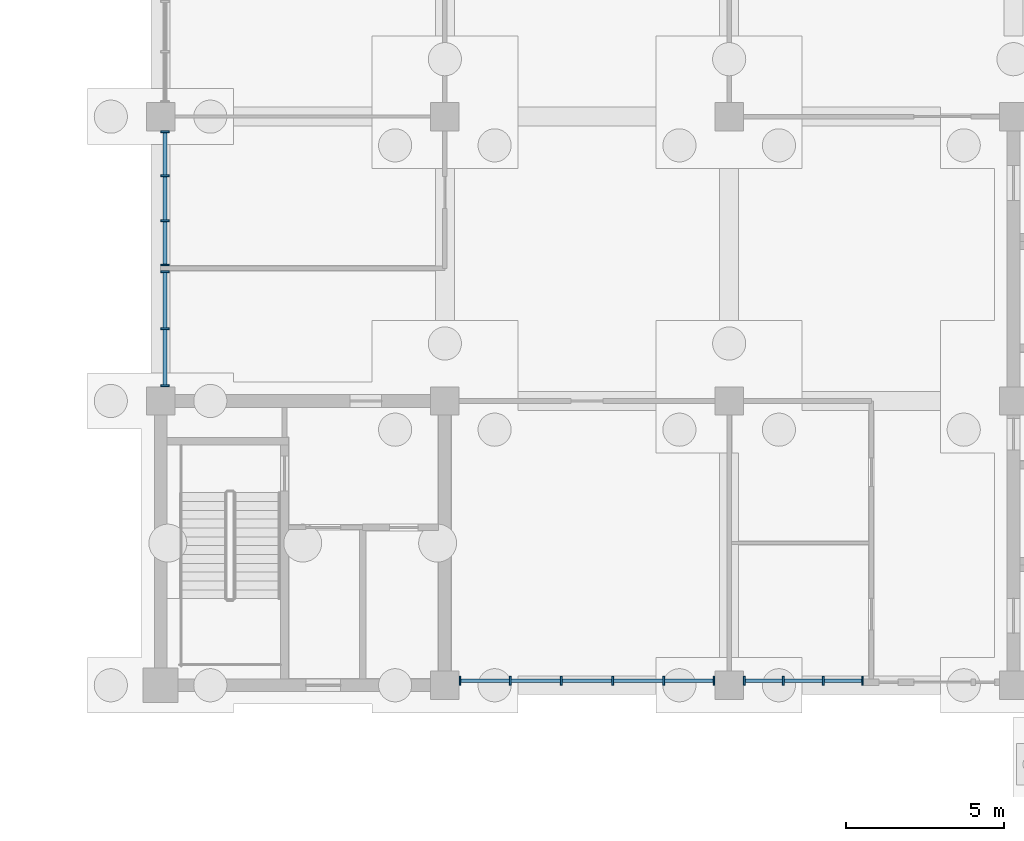
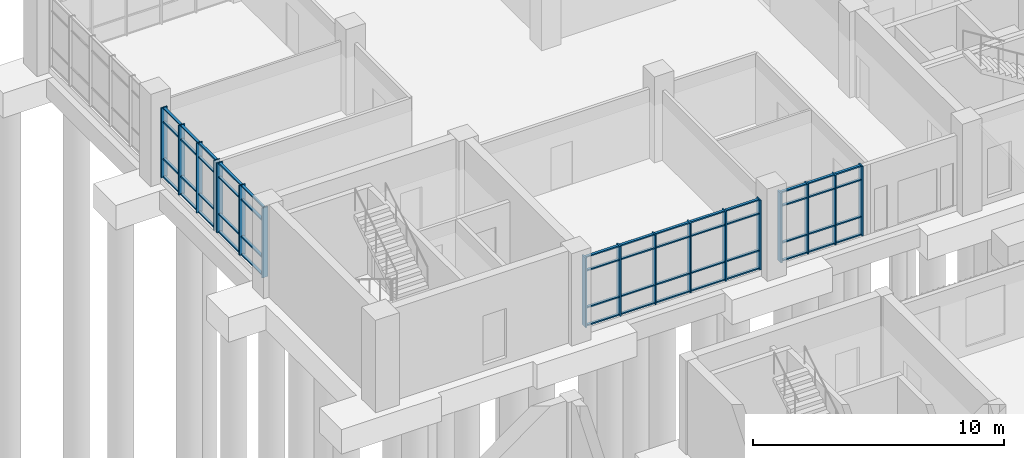
# One storey, part 46 of 106: 69 members, 4 elements without a shape of their own.
"""IFC4 building model written with IfcOpenShell, lengths in metres."""

from ifc_helpers import new_model, si_unit, direction, frame, origin, origin_2d, place, context, subcontext, project, spatial, rectangle, extrude, material, material_profile, profile_set, type_object, element, aggregate, save


model = new_model("IFC4")

# Units and contexts
model_context = context("Model", 3, precision=1e-05, world=origin(), true_north=direction((0.0, 1.0)))
body_context = subcontext(model_context, "Body", "Model", "MODEL_VIEW")
ifc_project = project(units=[si_unit("LENGTHUNIT", "METRE"), si_unit("AREAUNIT", "SQUARE_METRE"), si_unit("VOLUMEUNIT", "CUBIC_METRE"), si_unit("PLANEANGLEUNIT", "RADIAN"), si_unit("MASSUNIT", "GRAM", prefix="KILO")], contexts=[model_context])

# Site, building, storey
site_placement = place(None, origin())
site = spatial("IfcSite", under=ifc_project, at=site_placement, CompositionType="ELEMENT")
building_placement = place(site_placement, origin())
building = spatial("IfcBuilding", under=site, at=building_placement, Name="Merrow Basin Faculty of Sciences", CompositionType="ELEMENT")
storey_placement = place(building_placement, origin())
storey = spatial("IfcBuildingStorey", under=building, at=storey_placement, Name="L00", CompositionType="ELEMENT", Elevation=0.0)

# Curtain wall, members
ifc_material_1 = material(Name="Aluminium alloy 6063", Category="aluminium")
curtain_wall_type = type_object("IfcCurtainWallType", Name="Tower lobby curtain wall 280", PredefinedType="NOTDEFINED", material=ifc_material_1)
curtain_wall_1_placement = place(storey_placement, origin())
curtain_wall_1 = element("IfcCurtainWall", 1, at=curtain_wall_1_placement, inside=storey, type_object=curtain_wall_type, Name="W curtain wall L00 1", PredefinedType="NOTDEFINED")
ifc_material_2 = material(Name="Aluminium alloy 6063", Category="aluminium")
ifc_material_profile_1 = material_profile(ifc_material_2, rectangle(XDim=0.280029296875, YDim=0.06005859375, at=origin_2d()))
ifc_profile_set_1 = profile_set([ifc_material_profile_1], Name="Aluminium alloy 6063")
member_type_1 = type_object("IfcMemberType", Name="Aluminium mullion 60x280", PredefinedType="MULLION", material=ifc_profile_set_1)
member_1_placement = place(storey_placement, frame((18.139892578125, 151.47998046875, 0.0), z_axis=(0.0, 0.0, 1.0), x_axis=(-1.0, 0.0, 0.0)))
member_1 = element("IfcMember", 2, at=member_1_placement, type_object=member_type_1, Name="CW10 mullion 1", PredefinedType="MULLION", context=body_context, shape_type="SweptSolid", body=[
    extrude(rectangle(XDim=0.280029296875, YDim=0.06005859375, at=origin_2d()), origin(), (0.0, 0.0, 1.0), 3.39990234375),
])
member_2_placement = place(storey_placement, frame((18.139892578125, 153.28759765625, 0.0), z_axis=(0.0, 0.0, 1.0), x_axis=(-1.0, 0.0, 0.0)))
member_2 = element("IfcMember", 3, at=member_2_placement, type_object=member_type_1, Name="CW10 mullion 2", PredefinedType="MULLION", context=body_context, shape_type="SweptSolid", body=[
    extrude(rectangle(XDim=0.280029296875, YDim=0.06005859375, at=origin_2d()), origin(), (0.0, 0.0, 1.0), 3.39990234375),
])
member_3_placement = place(storey_placement, frame((18.139892578125, 155.094970703125, 0.0), z_axis=(0.0, 0.0, 1.0), x_axis=(-1.0, 0.0, 0.0)))
member_3 = element("IfcMember", 4, at=member_3_placement, type_object=member_type_1, Name="CW10 mullion 3", PredefinedType="MULLION", context=body_context, shape_type="SweptSolid", body=[
    extrude(rectangle(XDim=0.280029296875, YDim=0.06005859375, at=origin_2d()), origin(), (0.0, 0.0, 1.0), 3.39990234375),
])

curtain_wall_2_placement = place(storey_placement, origin())
curtain_wall_2 = element("IfcCurtainWall", 5, at=curtain_wall_2_placement, inside=storey, type_object=curtain_wall_type, Name="W curtain wall L00 2", PredefinedType="NOTDEFINED")
member_4_placement = place(storey_placement, frame((18.139892578125, 155.304931640625, 0.0), z_axis=(0.0, 0.0, 1.0), x_axis=(-1.0, 0.0, 0.0)))
member_4 = element("IfcMember", 6, at=member_4_placement, type_object=member_type_1, Name="CW10 mullion 1", PredefinedType="MULLION", context=body_context, shape_type="SweptSolid", body=[
    extrude(rectangle(XDim=0.280029296875, YDim=0.06005859375, at=origin_2d()), origin(), (0.0, 0.0, 1.0), 3.39990234375),
])
member_5_placement = place(storey_placement, frame((18.139892578125, 156.699951171875, 0.0), z_axis=(0.0, 0.0, 1.0), x_axis=(-1.0, 0.0, 0.0)))
member_5 = element("IfcMember", 7, at=member_5_placement, type_object=member_type_1, Name="CW10 mullion 2", PredefinedType="MULLION", context=body_context, shape_type="SweptSolid", body=[
    extrude(rectangle(XDim=0.280029296875, YDim=0.06005859375, at=origin_2d()), origin(), (0.0, 0.0, 1.0), 3.39990234375),
])
member_6_placement = place(storey_placement, frame((18.139892578125, 158.125, 0.0), z_axis=(0.0, 0.0, 1.0), x_axis=(-1.0, 0.0, 0.0)))
member_6 = element("IfcMember", 8, at=member_6_placement, type_object=member_type_1, Name="CW10 mullion 3", PredefinedType="MULLION", context=body_context, shape_type="SweptSolid", body=[
    extrude(rectangle(XDim=0.280029296875, YDim=0.06005859375, at=origin_2d()), origin(), (0.0, 0.0, 1.0), 3.39990234375),
])
member_7_placement = place(storey_placement, frame((18.139892578125, 159.52001953125, 0.0), z_axis=(0.0, 0.0, 1.0), x_axis=(-1.0, 0.0, 0.0)))
member_7 = element("IfcMember", 9, at=member_7_placement, type_object=member_type_1, Name="CW10 mullion 4", PredefinedType="MULLION", context=body_context, shape_type="SweptSolid", body=[
    extrude(rectangle(XDim=0.280029296875, YDim=0.06005859375, at=origin_2d()), origin(), (0.0, 0.0, 1.0), 3.39990234375),
])

curtain_wall_3_placement = place(storey_placement, origin())
curtain_wall_3 = element("IfcCurtainWall", 10, at=curtain_wall_3_placement, inside=storey, type_object=curtain_wall_type, Name="S curtain wall L00 1", PredefinedType="NOTDEFINED")
member_8_placement = place(storey_placement, frame((27.47998046875, 142.139892578125, 0.0), z_axis=(0.0, 0.0, 1.0), x_axis=(0.0, 1.0, 0.0)))
member_8 = element("IfcMember", 11, at=member_8_placement, type_object=member_type_1, Name="CW10 mullion 1", PredefinedType="MULLION", context=body_context, shape_type="SweptSolid", body=[
    extrude(rectangle(XDim=0.280029296875, YDim=0.06005859375, at=origin_2d()), origin(), (0.0, 0.0, 1.0), 3.39990234375),
])
member_9_placement = place(storey_placement, frame((29.070068359375, 142.139892578125, 0.0), z_axis=(0.0, 0.0, 1.0), x_axis=(0.0, 1.0, 0.0)))
member_9 = element("IfcMember", 12, at=member_9_placement, type_object=member_type_1, Name="CW10 mullion 2", PredefinedType="MULLION", context=body_context, shape_type="SweptSolid", body=[
    extrude(rectangle(XDim=0.280029296875, YDim=0.06005859375, at=origin_2d()), origin(), (0.0, 0.0, 1.0), 3.39990234375),
])
member_10_placement = place(storey_placement, frame((30.68994140625, 142.139892578125, 0.0), z_axis=(0.0, 0.0, 1.0), x_axis=(0.0, 1.0, 0.0)))
member_10 = element("IfcMember", 13, at=member_10_placement, type_object=member_type_1, Name="CW10 mullion 3", PredefinedType="MULLION", context=body_context, shape_type="SweptSolid", body=[
    extrude(rectangle(XDim=0.280029296875, YDim=0.06005859375, at=origin_2d()), origin(), (0.0, 0.0, 1.0), 3.39990234375),
])
member_11_placement = place(storey_placement, frame((32.31005859375, 142.139892578125, 0.0), z_axis=(0.0, 0.0, 1.0), x_axis=(0.0, 1.0, 0.0)))
member_11 = element("IfcMember", 14, at=member_11_placement, type_object=member_type_1, Name="CW10 mullion 4", PredefinedType="MULLION", context=body_context, shape_type="SweptSolid", body=[
    extrude(rectangle(XDim=0.280029296875, YDim=0.06005859375, at=origin_2d()), origin(), (0.0, 0.0, 1.0), 3.39990234375),
])
member_12_placement = place(storey_placement, frame((33.929931640625, 142.139892578125, 0.0), z_axis=(0.0, 0.0, 1.0), x_axis=(0.0, 1.0, 0.0)))
member_12 = element("IfcMember", 15, at=member_12_placement, type_object=member_type_1, Name="CW10 mullion 5", PredefinedType="MULLION", context=body_context, shape_type="SweptSolid", body=[
    extrude(rectangle(XDim=0.280029296875, YDim=0.06005859375, at=origin_2d()), origin(), (0.0, 0.0, 1.0), 3.39990234375),
])
member_13_placement = place(storey_placement, frame((35.52001953125, 142.139892578125, 0.0), z_axis=(0.0, 0.0, 1.0), x_axis=(0.0, 1.0, 0.0)))
member_13 = element("IfcMember", 16, at=member_13_placement, type_object=member_type_1, Name="CW10 mullion 6", PredefinedType="MULLION", context=body_context, shape_type="SweptSolid", body=[
    extrude(rectangle(XDim=0.280029296875, YDim=0.06005859375, at=origin_2d()), origin(), (0.0, 0.0, 1.0), 3.39990234375),
])

curtain_wall_4_placement = place(storey_placement, origin())
curtain_wall_4 = element("IfcCurtainWall", 17, at=curtain_wall_4_placement, inside=storey, type_object=curtain_wall_type, Name="S curtain wall L00 2", PredefinedType="NOTDEFINED")
member_14_placement = place(storey_placement, frame((36.47998046875, 142.139892578125, 0.0), z_axis=(0.0, 0.0, 1.0), x_axis=(0.0, 1.0, 0.0)))
member_14 = element("IfcMember", 18, at=member_14_placement, type_object=member_type_1, Name="CW10 mullion 1", PredefinedType="MULLION", context=body_context, shape_type="SweptSolid", body=[
    extrude(rectangle(XDim=0.280029296875, YDim=0.06005859375, at=origin_2d()), origin(), (0.0, 0.0, 1.0), 3.39990234375),
])
member_15_placement = place(storey_placement, frame((37.716552734375, 142.139892578125, 0.0), z_axis=(0.0, 0.0, 1.0), x_axis=(0.0, 1.0, 0.0)))
member_15 = element("IfcMember", 19, at=member_15_placement, type_object=member_type_1, Name="CW10 mullion 2", PredefinedType="MULLION", context=body_context, shape_type="SweptSolid", body=[
    extrude(rectangle(XDim=0.280029296875, YDim=0.06005859375, at=origin_2d()), origin(), (0.0, 0.0, 1.0), 3.39990234375),
])
member_16_placement = place(storey_placement, frame((38.9833984375, 142.139892578125, 0.0), z_axis=(0.0, 0.0, 1.0), x_axis=(0.0, 1.0, 0.0)))
member_16 = element("IfcMember", 20, at=member_16_placement, type_object=member_type_1, Name="CW10 mullion 3", PredefinedType="MULLION", context=body_context, shape_type="SweptSolid", body=[
    extrude(rectangle(XDim=0.280029296875, YDim=0.06005859375, at=origin_2d()), origin(), (0.0, 0.0, 1.0), 3.39990234375),
])
member_17_placement = place(storey_placement, frame((40.219970703125, 142.139892578125, 0.0), z_axis=(0.0, 0.0, 1.0), x_axis=(0.0, 1.0, 0.0)))
member_17 = element("IfcMember", 21, at=member_17_placement, type_object=member_type_1, Name="CW10 mullion 4", PredefinedType="MULLION", context=body_context, shape_type="SweptSolid", body=[
    extrude(rectangle(XDim=0.280029296875, YDim=0.06005859375, at=origin_2d()), origin(), (0.0, 0.0, 1.0), 3.39990234375),
])

# Member
ifc_material_3 = material(Name="Aluminium alloy 6063", Category="aluminium")
ifc_material_profile_2 = material_profile(ifc_material_3, rectangle(XDim=0.1201171875, YDim=0.06005859375, at=origin_2d()))
ifc_profile_set_2 = profile_set([ifc_material_profile_2], Name="Aluminium alloy 6063")
member_type_2 = type_object("IfcMemberType", Name="Aluminium transom 60x120", PredefinedType="USERDEFINED", material=ifc_profile_set_2)
member_18_placement = place(storey_placement, frame((18.139892578125, 151.510009765625, 0.030029296875), z_axis=(0.0, 1.0, 0.0), x_axis=(-1.0, 0.0, 0.0)))
member_18 = element("IfcMember", 22, at=member_18_placement, type_object=member_type_2, Name="CW10 transom 1.1", ObjectType="TRANSOM", PredefinedType="USERDEFINED", context=body_context, shape_type="SweptSolid", body=[
    extrude(rectangle(XDim=0.1201171875, YDim=0.06005859375, at=origin_2d()), origin(), (0.0, 0.0, 1.0), 1.74755859375),
])

member_19_placement = place(storey_placement, frame((18.139892578125, 151.510009765625, 0.89990234375), z_axis=(0.0, 1.0, 0.0), x_axis=(-1.0, 0.0, 0.0)))
member_19 = element("IfcMember", 23, at=member_19_placement, type_object=member_type_2, Name="CW10 transom 1.2", ObjectType="TRANSOM", PredefinedType="USERDEFINED", context=body_context, shape_type="SweptSolid", body=[
    extrude(rectangle(XDim=0.1201171875, YDim=0.06005859375, at=origin_2d()), origin(), (0.0, 0.0, 1.0), 1.74755859375),
])

member_20_placement = place(storey_placement, frame((18.139892578125, 151.510009765625, 2.699951171875), z_axis=(0.0, 1.0, 0.0), x_axis=(-1.0, 0.0, 0.0)))
member_20 = element("IfcMember", 24, at=member_20_placement, type_object=member_type_2, Name="CW10 transom 1.3", ObjectType="TRANSOM", PredefinedType="USERDEFINED", context=body_context, shape_type="SweptSolid", body=[
    extrude(rectangle(XDim=0.1201171875, YDim=0.06005859375, at=origin_2d()), origin(), (0.0, 0.0, 1.0), 1.74755859375),
])

member_21_placement = place(storey_placement, frame((18.139892578125, 151.510009765625, 3.3701171875), z_axis=(0.0, 1.0, 0.0), x_axis=(-1.0, 0.0, 0.0)))
member_21 = element("IfcMember", 25, at=member_21_placement, type_object=member_type_2, Name="CW10 transom 1.4", ObjectType="TRANSOM", PredefinedType="USERDEFINED", context=body_context, shape_type="SweptSolid", body=[
    extrude(rectangle(XDim=0.1201171875, YDim=0.06005859375, at=origin_2d()), origin(), (0.0, 0.0, 1.0), 1.74755859375),
])

member_22_placement = place(storey_placement, frame((18.139892578125, 153.3173828125, 0.030029296875), z_axis=(0.0, 1.0, 0.0), x_axis=(-1.0, 0.0, 0.0)))
member_22 = element("IfcMember", 26, at=member_22_placement, type_object=member_type_2, Name="CW10 transom 2.1", ObjectType="TRANSOM", PredefinedType="USERDEFINED", context=body_context, shape_type="SweptSolid", body=[
    extrude(rectangle(XDim=0.1201171875, YDim=0.06005859375, at=origin_2d()), origin(), (0.0, 0.0, 1.0), 1.74755859375),
])

member_23_placement = place(storey_placement, frame((18.139892578125, 153.3173828125, 0.89990234375), z_axis=(0.0, 1.0, 0.0), x_axis=(-1.0, 0.0, 0.0)))
member_23 = element("IfcMember", 27, at=member_23_placement, type_object=member_type_2, Name="CW10 transom 2.2", ObjectType="TRANSOM", PredefinedType="USERDEFINED", context=body_context, shape_type="SweptSolid", body=[
    extrude(rectangle(XDim=0.1201171875, YDim=0.06005859375, at=origin_2d()), origin(), (0.0, 0.0, 1.0), 1.74755859375),
])

member_24_placement = place(storey_placement, frame((18.139892578125, 153.3173828125, 2.699951171875), z_axis=(0.0, 1.0, 0.0), x_axis=(-1.0, 0.0, 0.0)))
member_24 = element("IfcMember", 28, at=member_24_placement, type_object=member_type_2, Name="CW10 transom 2.3", ObjectType="TRANSOM", PredefinedType="USERDEFINED", context=body_context, shape_type="SweptSolid", body=[
    extrude(rectangle(XDim=0.1201171875, YDim=0.06005859375, at=origin_2d()), origin(), (0.0, 0.0, 1.0), 1.74755859375),
])

member_25_placement = place(storey_placement, frame((18.139892578125, 153.3173828125, 3.3701171875), z_axis=(0.0, 1.0, 0.0), x_axis=(-1.0, 0.0, 0.0)))
member_25 = element("IfcMember", 29, at=member_25_placement, type_object=member_type_2, Name="CW10 transom 2.4", ObjectType="TRANSOM", PredefinedType="USERDEFINED", context=body_context, shape_type="SweptSolid", body=[
    extrude(rectangle(XDim=0.1201171875, YDim=0.06005859375, at=origin_2d()), origin(), (0.0, 0.0, 1.0), 1.74755859375),
])

aggregate(curtain_wall_1, [member_1, member_2, member_3, member_18, member_19, member_20, member_21, member_22, member_23, member_24, member_25])

member_26_placement = place(storey_placement, frame((18.139892578125, 155.3349609375, 0.030029296875), z_axis=(0.0, 1.0, 0.0), x_axis=(-1.0, 0.0, 0.0)))
member_26 = element("IfcMember", 30, at=member_26_placement, type_object=member_type_2, Name="CW10 transom 1.1", ObjectType="TRANSOM", PredefinedType="USERDEFINED", context=body_context, shape_type="SweptSolid", body=[
    extrude(rectangle(XDim=0.1201171875, YDim=0.06005859375, at=origin_2d()), origin(), (0.0, 0.0, 1.0), 1.3349609375),
])

member_27_placement = place(storey_placement, frame((18.139892578125, 155.3349609375, 0.89990234375), z_axis=(0.0, 1.0, 0.0), x_axis=(-1.0, 0.0, 0.0)))
member_27 = element("IfcMember", 31, at=member_27_placement, type_object=member_type_2, Name="CW10 transom 1.2", ObjectType="TRANSOM", PredefinedType="USERDEFINED", context=body_context, shape_type="SweptSolid", body=[
    extrude(rectangle(XDim=0.1201171875, YDim=0.06005859375, at=origin_2d()), origin(), (0.0, 0.0, 1.0), 1.3349609375),
])

member_28_placement = place(storey_placement, frame((18.139892578125, 155.3349609375, 2.699951171875), z_axis=(0.0, 1.0, 0.0), x_axis=(-1.0, 0.0, 0.0)))
member_28 = element("IfcMember", 32, at=member_28_placement, type_object=member_type_2, Name="CW10 transom 1.3", ObjectType="TRANSOM", PredefinedType="USERDEFINED", context=body_context, shape_type="SweptSolid", body=[
    extrude(rectangle(XDim=0.1201171875, YDim=0.06005859375, at=origin_2d()), origin(), (0.0, 0.0, 1.0), 1.3349609375),
])

member_29_placement = place(storey_placement, frame((18.139892578125, 155.3349609375, 3.3701171875), z_axis=(0.0, 1.0, 0.0), x_axis=(-1.0, 0.0, 0.0)))
member_29 = element("IfcMember", 33, at=member_29_placement, type_object=member_type_2, Name="CW10 transom 1.4", ObjectType="TRANSOM", PredefinedType="USERDEFINED", context=body_context, shape_type="SweptSolid", body=[
    extrude(rectangle(XDim=0.1201171875, YDim=0.06005859375, at=origin_2d()), origin(), (0.0, 0.0, 1.0), 1.3349609375),
])

member_30_placement = place(storey_placement, frame((18.139892578125, 156.72998046875, 0.030029296875), z_axis=(0.0, 1.0, 0.0), x_axis=(-1.0, 0.0, 0.0)))
member_30 = element("IfcMember", 34, at=member_30_placement, type_object=member_type_2, Name="CW10 transom 2.1", ObjectType="TRANSOM", PredefinedType="USERDEFINED", context=body_context, shape_type="SweptSolid", body=[
    extrude(rectangle(XDim=0.1201171875, YDim=0.06005859375, at=origin_2d()), origin(), (0.0, 0.0, 1.0), 1.364990234375),
])

member_31_placement = place(storey_placement, frame((18.139892578125, 156.72998046875, 0.89990234375), z_axis=(0.0, 1.0, 0.0), x_axis=(-1.0, 0.0, 0.0)))
member_31 = element("IfcMember", 35, at=member_31_placement, type_object=member_type_2, Name="CW10 transom 2.2", ObjectType="TRANSOM", PredefinedType="USERDEFINED", context=body_context, shape_type="SweptSolid", body=[
    extrude(rectangle(XDim=0.1201171875, YDim=0.06005859375, at=origin_2d()), origin(), (0.0, 0.0, 1.0), 1.364990234375),
])

member_32_placement = place(storey_placement, frame((18.139892578125, 156.72998046875, 2.699951171875), z_axis=(0.0, 1.0, 0.0), x_axis=(-1.0, 0.0, 0.0)))
member_32 = element("IfcMember", 36, at=member_32_placement, type_object=member_type_2, Name="CW10 transom 2.3", ObjectType="TRANSOM", PredefinedType="USERDEFINED", context=body_context, shape_type="SweptSolid", body=[
    extrude(rectangle(XDim=0.1201171875, YDim=0.06005859375, at=origin_2d()), origin(), (0.0, 0.0, 1.0), 1.364990234375),
])

member_33_placement = place(storey_placement, frame((18.139892578125, 156.72998046875, 3.3701171875), z_axis=(0.0, 1.0, 0.0), x_axis=(-1.0, 0.0, 0.0)))
member_33 = element("IfcMember", 37, at=member_33_placement, type_object=member_type_2, Name="CW10 transom 2.4", ObjectType="TRANSOM", PredefinedType="USERDEFINED", context=body_context, shape_type="SweptSolid", body=[
    extrude(rectangle(XDim=0.1201171875, YDim=0.06005859375, at=origin_2d()), origin(), (0.0, 0.0, 1.0), 1.364990234375),
])

member_34_placement = place(storey_placement, frame((18.139892578125, 158.155029296875, 0.030029296875), z_axis=(0.0, 1.0, 0.0), x_axis=(-1.0, 0.0, 0.0)))
member_34 = element("IfcMember", 38, at=member_34_placement, type_object=member_type_2, Name="CW10 transom 3.1", ObjectType="TRANSOM", PredefinedType="USERDEFINED", context=body_context, shape_type="SweptSolid", body=[
    extrude(rectangle(XDim=0.1201171875, YDim=0.06005859375, at=origin_2d()), origin(), (0.0, 0.0, 1.0), 1.3349609375),
])

member_35_placement = place(storey_placement, frame((18.139892578125, 158.155029296875, 0.89990234375), z_axis=(0.0, 1.0, 0.0), x_axis=(-1.0, 0.0, 0.0)))
member_35 = element("IfcMember", 39, at=member_35_placement, type_object=member_type_2, Name="CW10 transom 3.2", ObjectType="TRANSOM", PredefinedType="USERDEFINED", context=body_context, shape_type="SweptSolid", body=[
    extrude(rectangle(XDim=0.1201171875, YDim=0.06005859375, at=origin_2d()), origin(), (0.0, 0.0, 1.0), 1.3349609375),
])

member_36_placement = place(storey_placement, frame((18.139892578125, 158.155029296875, 2.699951171875), z_axis=(0.0, 1.0, 0.0), x_axis=(-1.0, 0.0, 0.0)))
member_36 = element("IfcMember", 40, at=member_36_placement, type_object=member_type_2, Name="CW10 transom 3.3", ObjectType="TRANSOM", PredefinedType="USERDEFINED", context=body_context, shape_type="SweptSolid", body=[
    extrude(rectangle(XDim=0.1201171875, YDim=0.06005859375, at=origin_2d()), origin(), (0.0, 0.0, 1.0), 1.3349609375),
])

member_37_placement = place(storey_placement, frame((18.139892578125, 158.155029296875, 3.3701171875), z_axis=(0.0, 1.0, 0.0), x_axis=(-1.0, 0.0, 0.0)))
member_37 = element("IfcMember", 41, at=member_37_placement, type_object=member_type_2, Name="CW10 transom 3.4", ObjectType="TRANSOM", PredefinedType="USERDEFINED", context=body_context, shape_type="SweptSolid", body=[
    extrude(rectangle(XDim=0.1201171875, YDim=0.06005859375, at=origin_2d()), origin(), (0.0, 0.0, 1.0), 1.3349609375),
])

aggregate(curtain_wall_2, [member_4, member_5, member_6, member_7, member_26, member_27, member_28, member_29, member_30, member_31, member_32, member_33, member_34, member_35, member_36, member_37])

member_38_placement = place(storey_placement, frame((27.510009765625, 142.139892578125, 0.030029296875), z_axis=(1.0, 0.0, 0.0), x_axis=(0.0, 1.0, 0.0)))
member_38 = element("IfcMember", 42, at=member_38_placement, type_object=member_type_2, Name="CW10 transom 1.1", ObjectType="TRANSOM", PredefinedType="USERDEFINED", context=body_context, shape_type="SweptSolid", body=[
    extrude(rectangle(XDim=0.1201171875, YDim=0.06005859375, at=origin_2d()), origin(), (0.0, 0.0, 1.0), 1.530029296875),
])

member_39_placement = place(storey_placement, frame((27.510009765625, 142.139892578125, 0.89990234375), z_axis=(1.0, 0.0, 0.0), x_axis=(0.0, 1.0, 0.0)))
member_39 = element("IfcMember", 43, at=member_39_placement, type_object=member_type_2, Name="CW10 transom 1.2", ObjectType="TRANSOM", PredefinedType="USERDEFINED", context=body_context, shape_type="SweptSolid", body=[
    extrude(rectangle(XDim=0.1201171875, YDim=0.06005859375, at=origin_2d()), origin(), (0.0, 0.0, 1.0), 1.530029296875),
])

member_40_placement = place(storey_placement, frame((27.510009765625, 142.139892578125, 2.699951171875), z_axis=(1.0, 0.0, 0.0), x_axis=(0.0, 1.0, 0.0)))
member_40 = element("IfcMember", 44, at=member_40_placement, type_object=member_type_2, Name="CW10 transom 1.3", ObjectType="TRANSOM", PredefinedType="USERDEFINED", context=body_context, shape_type="SweptSolid", body=[
    extrude(rectangle(XDim=0.1201171875, YDim=0.06005859375, at=origin_2d()), origin(), (0.0, 0.0, 1.0), 1.530029296875),
])

member_41_placement = place(storey_placement, frame((27.510009765625, 142.139892578125, 3.3701171875), z_axis=(1.0, 0.0, 0.0), x_axis=(0.0, 1.0, 0.0)))
member_41 = element("IfcMember", 45, at=member_41_placement, type_object=member_type_2, Name="CW10 transom 1.4", ObjectType="TRANSOM", PredefinedType="USERDEFINED", context=body_context, shape_type="SweptSolid", body=[
    extrude(rectangle(XDim=0.1201171875, YDim=0.06005859375, at=origin_2d()), origin(), (0.0, 0.0, 1.0), 1.530029296875),
])

member_42_placement = place(storey_placement, frame((29.10009765625, 142.139892578125, 0.030029296875), z_axis=(1.0, 0.0, 0.0), x_axis=(0.0, 1.0, 0.0)))
member_42 = element("IfcMember", 46, at=member_42_placement, type_object=member_type_2, Name="CW10 transom 2.1", ObjectType="TRANSOM", PredefinedType="USERDEFINED", context=body_context, shape_type="SweptSolid", body=[
    extrude(rectangle(XDim=0.1201171875, YDim=0.06005859375, at=origin_2d()), origin(), (0.0, 0.0, 1.0), 1.559814453125),
])

member_43_placement = place(storey_placement, frame((29.10009765625, 142.139892578125, 0.89990234375), z_axis=(1.0, 0.0, 0.0), x_axis=(0.0, 1.0, 0.0)))
member_43 = element("IfcMember", 47, at=member_43_placement, type_object=member_type_2, Name="CW10 transom 2.2", ObjectType="TRANSOM", PredefinedType="USERDEFINED", context=body_context, shape_type="SweptSolid", body=[
    extrude(rectangle(XDim=0.1201171875, YDim=0.06005859375, at=origin_2d()), origin(), (0.0, 0.0, 1.0), 1.559814453125),
])

member_44_placement = place(storey_placement, frame((29.10009765625, 142.139892578125, 2.699951171875), z_axis=(1.0, 0.0, 0.0), x_axis=(0.0, 1.0, 0.0)))
member_44 = element("IfcMember", 48, at=member_44_placement, type_object=member_type_2, Name="CW10 transom 2.3", ObjectType="TRANSOM", PredefinedType="USERDEFINED", context=body_context, shape_type="SweptSolid", body=[
    extrude(rectangle(XDim=0.1201171875, YDim=0.06005859375, at=origin_2d()), origin(), (0.0, 0.0, 1.0), 1.559814453125),
])

member_45_placement = place(storey_placement, frame((29.10009765625, 142.139892578125, 3.3701171875), z_axis=(1.0, 0.0, 0.0), x_axis=(0.0, 1.0, 0.0)))
member_45 = element("IfcMember", 49, at=member_45_placement, type_object=member_type_2, Name="CW10 transom 2.4", ObjectType="TRANSOM", PredefinedType="USERDEFINED", context=body_context, shape_type="SweptSolid", body=[
    extrude(rectangle(XDim=0.1201171875, YDim=0.06005859375, at=origin_2d()), origin(), (0.0, 0.0, 1.0), 1.559814453125),
])

member_46_placement = place(storey_placement, frame((30.719970703125, 142.139892578125, 0.030029296875), z_axis=(1.0, 0.0, 0.0), x_axis=(0.0, 1.0, 0.0)))
member_46 = element("IfcMember", 50, at=member_46_placement, type_object=member_type_2, Name="CW10 transom 3.1", ObjectType="TRANSOM", PredefinedType="USERDEFINED", context=body_context, shape_type="SweptSolid", body=[
    extrude(rectangle(XDim=0.1201171875, YDim=0.06005859375, at=origin_2d()), origin(), (0.0, 0.0, 1.0), 1.56005859375),
])

member_47_placement = place(storey_placement, frame((30.719970703125, 142.139892578125, 0.89990234375), z_axis=(1.0, 0.0, 0.0), x_axis=(0.0, 1.0, 0.0)))
member_47 = element("IfcMember", 51, at=member_47_placement, type_object=member_type_2, Name="CW10 transom 3.2", ObjectType="TRANSOM", PredefinedType="USERDEFINED", context=body_context, shape_type="SweptSolid", body=[
    extrude(rectangle(XDim=0.1201171875, YDim=0.06005859375, at=origin_2d()), origin(), (0.0, 0.0, 1.0), 1.56005859375),
])

member_48_placement = place(storey_placement, frame((30.719970703125, 142.139892578125, 2.699951171875), z_axis=(1.0, 0.0, 0.0), x_axis=(0.0, 1.0, 0.0)))
member_48 = element("IfcMember", 52, at=member_48_placement, type_object=member_type_2, Name="CW10 transom 3.3", ObjectType="TRANSOM", PredefinedType="USERDEFINED", context=body_context, shape_type="SweptSolid", body=[
    extrude(rectangle(XDim=0.1201171875, YDim=0.06005859375, at=origin_2d()), origin(), (0.0, 0.0, 1.0), 1.56005859375),
])

member_49_placement = place(storey_placement, frame((30.719970703125, 142.139892578125, 3.3701171875), z_axis=(1.0, 0.0, 0.0), x_axis=(0.0, 1.0, 0.0)))
member_49 = element("IfcMember", 53, at=member_49_placement, type_object=member_type_2, Name="CW10 transom 3.4", ObjectType="TRANSOM", PredefinedType="USERDEFINED", context=body_context, shape_type="SweptSolid", body=[
    extrude(rectangle(XDim=0.1201171875, YDim=0.06005859375, at=origin_2d()), origin(), (0.0, 0.0, 1.0), 1.56005859375),
])

member_50_placement = place(storey_placement, frame((32.340087890625, 142.139892578125, 0.030029296875), z_axis=(1.0, 0.0, 0.0), x_axis=(0.0, 1.0, 0.0)))
member_50 = element("IfcMember", 54, at=member_50_placement, type_object=member_type_2, Name="CW10 transom 4.1", ObjectType="TRANSOM", PredefinedType="USERDEFINED", context=body_context, shape_type="SweptSolid", body=[
    extrude(rectangle(XDim=0.1201171875, YDim=0.06005859375, at=origin_2d()), origin(), (0.0, 0.0, 1.0), 1.559814453125),
])

member_51_placement = place(storey_placement, frame((32.340087890625, 142.139892578125, 0.89990234375), z_axis=(1.0, 0.0, 0.0), x_axis=(0.0, 1.0, 0.0)))
member_51 = element("IfcMember", 55, at=member_51_placement, type_object=member_type_2, Name="CW10 transom 4.2", ObjectType="TRANSOM", PredefinedType="USERDEFINED", context=body_context, shape_type="SweptSolid", body=[
    extrude(rectangle(XDim=0.1201171875, YDim=0.06005859375, at=origin_2d()), origin(), (0.0, 0.0, 1.0), 1.559814453125),
])

member_52_placement = place(storey_placement, frame((32.340087890625, 142.139892578125, 2.699951171875), z_axis=(1.0, 0.0, 0.0), x_axis=(0.0, 1.0, 0.0)))
member_52 = element("IfcMember", 56, at=member_52_placement, type_object=member_type_2, Name="CW10 transom 4.3", ObjectType="TRANSOM", PredefinedType="USERDEFINED", context=body_context, shape_type="SweptSolid", body=[
    extrude(rectangle(XDim=0.1201171875, YDim=0.06005859375, at=origin_2d()), origin(), (0.0, 0.0, 1.0), 1.559814453125),
])

member_53_placement = place(storey_placement, frame((32.340087890625, 142.139892578125, 3.3701171875), z_axis=(1.0, 0.0, 0.0), x_axis=(0.0, 1.0, 0.0)))
member_53 = element("IfcMember", 57, at=member_53_placement, type_object=member_type_2, Name="CW10 transom 4.4", ObjectType="TRANSOM", PredefinedType="USERDEFINED", context=body_context, shape_type="SweptSolid", body=[
    extrude(rectangle(XDim=0.1201171875, YDim=0.06005859375, at=origin_2d()), origin(), (0.0, 0.0, 1.0), 1.559814453125),
])

member_54_placement = place(storey_placement, frame((33.9599609375, 142.139892578125, 0.030029296875), z_axis=(1.0, 0.0, 0.0), x_axis=(0.0, 1.0, 0.0)))
member_54 = element("IfcMember", 58, at=member_54_placement, type_object=member_type_2, Name="CW10 transom 5.1", ObjectType="TRANSOM", PredefinedType="USERDEFINED", context=body_context, shape_type="SweptSolid", body=[
    extrude(rectangle(XDim=0.1201171875, YDim=0.06005859375, at=origin_2d()), origin(), (0.0, 0.0, 1.0), 1.530029296875),
])

member_55_placement = place(storey_placement, frame((33.9599609375, 142.139892578125, 0.89990234375), z_axis=(1.0, 0.0, 0.0), x_axis=(0.0, 1.0, 0.0)))
member_55 = element("IfcMember", 59, at=member_55_placement, type_object=member_type_2, Name="CW10 transom 5.2", ObjectType="TRANSOM", PredefinedType="USERDEFINED", context=body_context, shape_type="SweptSolid", body=[
    extrude(rectangle(XDim=0.1201171875, YDim=0.06005859375, at=origin_2d()), origin(), (0.0, 0.0, 1.0), 1.530029296875),
])

member_56_placement = place(storey_placement, frame((33.9599609375, 142.139892578125, 2.699951171875), z_axis=(1.0, 0.0, 0.0), x_axis=(0.0, 1.0, 0.0)))
member_56 = element("IfcMember", 60, at=member_56_placement, type_object=member_type_2, Name="CW10 transom 5.3", ObjectType="TRANSOM", PredefinedType="USERDEFINED", context=body_context, shape_type="SweptSolid", body=[
    extrude(rectangle(XDim=0.1201171875, YDim=0.06005859375, at=origin_2d()), origin(), (0.0, 0.0, 1.0), 1.530029296875),
])

member_57_placement = place(storey_placement, frame((33.9599609375, 142.139892578125, 3.3701171875), z_axis=(1.0, 0.0, 0.0), x_axis=(0.0, 1.0, 0.0)))
member_57 = element("IfcMember", 61, at=member_57_placement, type_object=member_type_2, Name="CW10 transom 5.4", ObjectType="TRANSOM", PredefinedType="USERDEFINED", context=body_context, shape_type="SweptSolid", body=[
    extrude(rectangle(XDim=0.1201171875, YDim=0.06005859375, at=origin_2d()), origin(), (0.0, 0.0, 1.0), 1.530029296875),
])

aggregate(curtain_wall_3, [member_8, member_9, member_10, member_11, member_12, member_13, member_38, member_39, member_40, member_41, member_42, member_43, member_44, member_45, member_46, member_47, member_48, member_49, member_50, member_51, member_52, member_53, member_54, member_55, member_56, member_57])

member_58_placement = place(storey_placement, frame((36.510009765625, 142.139892578125, 0.030029296875), z_axis=(1.0, 0.0, 0.0), x_axis=(0.0, 1.0, 0.0)))
member_58 = element("IfcMember", 62, at=member_58_placement, type_object=member_type_2, Name="CW10 transom 1.1", ObjectType="TRANSOM", PredefinedType="USERDEFINED", context=body_context, shape_type="SweptSolid", body=[
    extrude(rectangle(XDim=0.1201171875, YDim=0.06005859375, at=origin_2d()), origin(), (0.0, 0.0, 1.0), 1.1767578125),
])

member_59_placement = place(storey_placement, frame((36.510009765625, 142.139892578125, 0.89990234375), z_axis=(1.0, 0.0, 0.0), x_axis=(0.0, 1.0, 0.0)))
member_59 = element("IfcMember", 63, at=member_59_placement, type_object=member_type_2, Name="CW10 transom 1.2", ObjectType="TRANSOM", PredefinedType="USERDEFINED", context=body_context, shape_type="SweptSolid", body=[
    extrude(rectangle(XDim=0.1201171875, YDim=0.06005859375, at=origin_2d()), origin(), (0.0, 0.0, 1.0), 1.1767578125),
])

member_60_placement = place(storey_placement, frame((36.510009765625, 142.139892578125, 2.699951171875), z_axis=(1.0, 0.0, 0.0), x_axis=(0.0, 1.0, 0.0)))
member_60 = element("IfcMember", 64, at=member_60_placement, type_object=member_type_2, Name="CW10 transom 1.3", ObjectType="TRANSOM", PredefinedType="USERDEFINED", context=body_context, shape_type="SweptSolid", body=[
    extrude(rectangle(XDim=0.1201171875, YDim=0.06005859375, at=origin_2d()), origin(), (0.0, 0.0, 1.0), 1.1767578125),
])

member_61_placement = place(storey_placement, frame((36.510009765625, 142.139892578125, 3.3701171875), z_axis=(1.0, 0.0, 0.0), x_axis=(0.0, 1.0, 0.0)))
member_61 = element("IfcMember", 65, at=member_61_placement, type_object=member_type_2, Name="CW10 transom 1.4", ObjectType="TRANSOM", PredefinedType="USERDEFINED", context=body_context, shape_type="SweptSolid", body=[
    extrude(rectangle(XDim=0.1201171875, YDim=0.06005859375, at=origin_2d()), origin(), (0.0, 0.0, 1.0), 1.1767578125),
])

member_62_placement = place(storey_placement, frame((37.74658203125, 142.139892578125, 0.030029296875), z_axis=(1.0, 0.0, 0.0), x_axis=(0.0, 1.0, 0.0)))
member_62 = element("IfcMember", 66, at=member_62_placement, type_object=member_type_2, Name="CW10 transom 2.1", ObjectType="TRANSOM", PredefinedType="USERDEFINED", context=body_context, shape_type="SweptSolid", body=[
    extrude(rectangle(XDim=0.1201171875, YDim=0.06005859375, at=origin_2d()), origin(), (0.0, 0.0, 1.0), 1.206787109375),
])

member_63_placement = place(storey_placement, frame((37.74658203125, 142.139892578125, 0.89990234375), z_axis=(1.0, 0.0, 0.0), x_axis=(0.0, 1.0, 0.0)))
member_63 = element("IfcMember", 67, at=member_63_placement, type_object=member_type_2, Name="CW10 transom 2.2", ObjectType="TRANSOM", PredefinedType="USERDEFINED", context=body_context, shape_type="SweptSolid", body=[
    extrude(rectangle(XDim=0.1201171875, YDim=0.06005859375, at=origin_2d()), origin(), (0.0, 0.0, 1.0), 1.206787109375),
])

member_64_placement = place(storey_placement, frame((37.74658203125, 142.139892578125, 2.699951171875), z_axis=(1.0, 0.0, 0.0), x_axis=(0.0, 1.0, 0.0)))
member_64 = element("IfcMember", 68, at=member_64_placement, type_object=member_type_2, Name="CW10 transom 2.3", ObjectType="TRANSOM", PredefinedType="USERDEFINED", context=body_context, shape_type="SweptSolid", body=[
    extrude(rectangle(XDim=0.1201171875, YDim=0.06005859375, at=origin_2d()), origin(), (0.0, 0.0, 1.0), 1.206787109375),
])

member_65_placement = place(storey_placement, frame((37.74658203125, 142.139892578125, 3.3701171875), z_axis=(1.0, 0.0, 0.0), x_axis=(0.0, 1.0, 0.0)))
member_65 = element("IfcMember", 69, at=member_65_placement, type_object=member_type_2, Name="CW10 transom 2.4", ObjectType="TRANSOM", PredefinedType="USERDEFINED", context=body_context, shape_type="SweptSolid", body=[
    extrude(rectangle(XDim=0.1201171875, YDim=0.06005859375, at=origin_2d()), origin(), (0.0, 0.0, 1.0), 1.206787109375),
])

member_66_placement = place(storey_placement, frame((39.013427734375, 142.139892578125, 0.030029296875), z_axis=(1.0, 0.0, 0.0), x_axis=(0.0, 1.0, 0.0)))
member_66 = element("IfcMember", 70, at=member_66_placement, type_object=member_type_2, Name="CW10 transom 3.1", ObjectType="TRANSOM", PredefinedType="USERDEFINED", context=body_context, shape_type="SweptSolid", body=[
    extrude(rectangle(XDim=0.1201171875, YDim=0.06005859375, at=origin_2d()), origin(), (0.0, 0.0, 1.0), 1.176513671875),
])

member_67_placement = place(storey_placement, frame((39.013427734375, 142.139892578125, 0.89990234375), z_axis=(1.0, 0.0, 0.0), x_axis=(0.0, 1.0, 0.0)))
member_67 = element("IfcMember", 71, at=member_67_placement, type_object=member_type_2, Name="CW10 transom 3.2", ObjectType="TRANSOM", PredefinedType="USERDEFINED", context=body_context, shape_type="SweptSolid", body=[
    extrude(rectangle(XDim=0.1201171875, YDim=0.06005859375, at=origin_2d()), origin(), (0.0, 0.0, 1.0), 1.176513671875),
])

member_68_placement = place(storey_placement, frame((39.013427734375, 142.139892578125, 2.699951171875), z_axis=(1.0, 0.0, 0.0), x_axis=(0.0, 1.0, 0.0)))
member_68 = element("IfcMember", 72, at=member_68_placement, type_object=member_type_2, Name="CW10 transom 3.3", ObjectType="TRANSOM", PredefinedType="USERDEFINED", context=body_context, shape_type="SweptSolid", body=[
    extrude(rectangle(XDim=0.1201171875, YDim=0.06005859375, at=origin_2d()), origin(), (0.0, 0.0, 1.0), 1.176513671875),
])

member_69_placement = place(storey_placement, frame((39.013427734375, 142.139892578125, 3.3701171875), z_axis=(1.0, 0.0, 0.0), x_axis=(0.0, 1.0, 0.0)))
member_69 = element("IfcMember", 73, at=member_69_placement, type_object=member_type_2, Name="CW10 transom 3.4", ObjectType="TRANSOM", PredefinedType="USERDEFINED", context=body_context, shape_type="SweptSolid", body=[
    extrude(rectangle(XDim=0.1201171875, YDim=0.06005859375, at=origin_2d()), origin(), (0.0, 0.0, 1.0), 1.176513671875),
])

aggregate(curtain_wall_4, [member_14, member_15, member_16, member_17, member_58, member_59, member_60, member_61, member_62, member_63, member_64, member_65, member_66, member_67, member_68, member_69])

save(model, "model.ifc")
